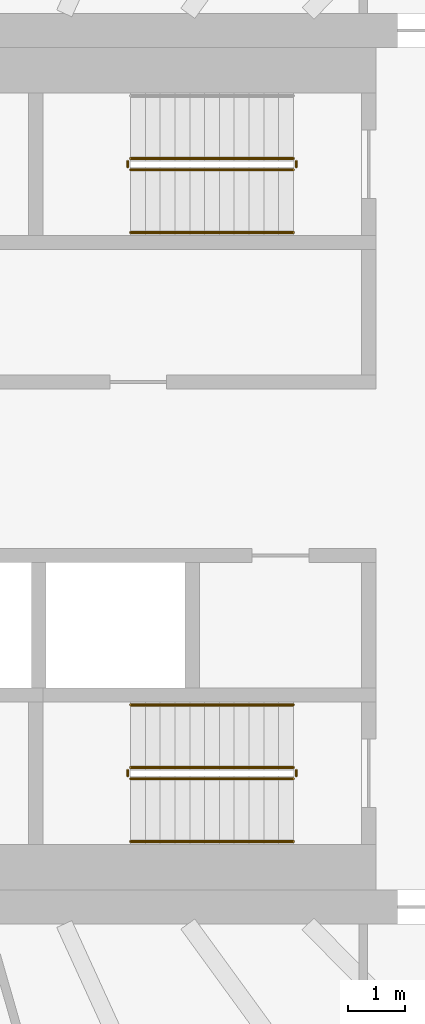
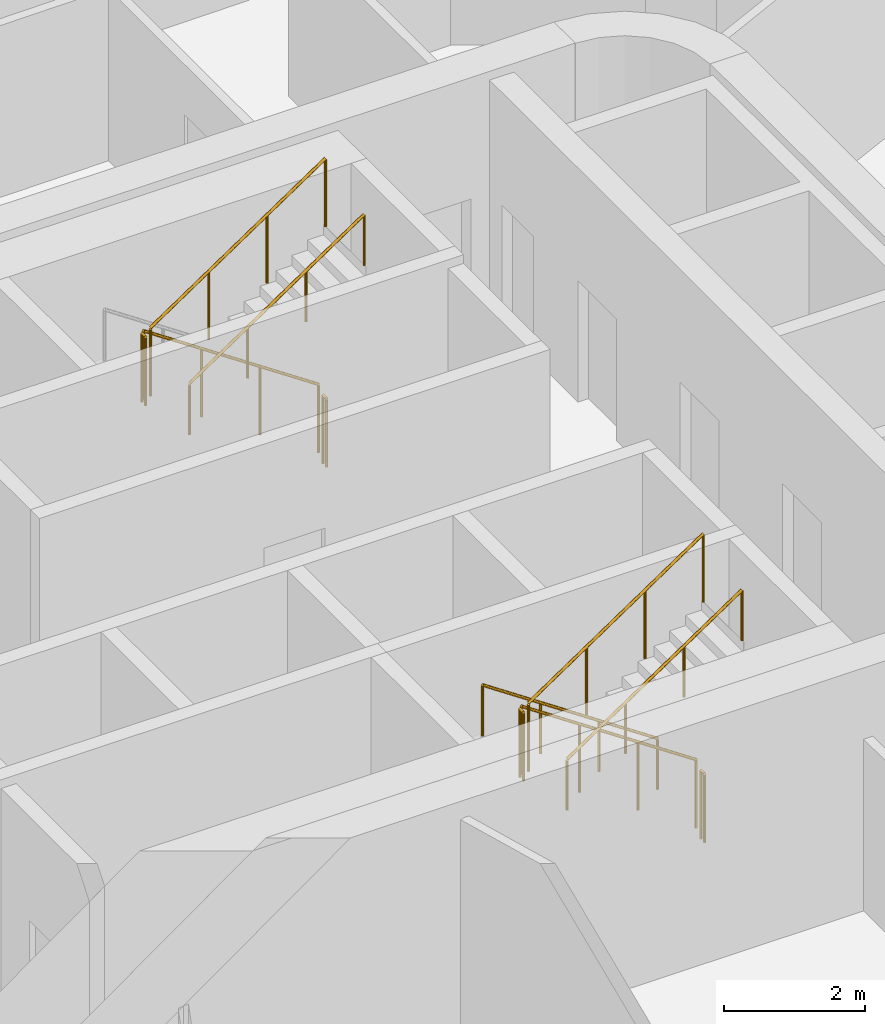
# One storey, part 24 of 26: 11 railings.
"""IFC4 building model written with IfcOpenShell, lengths in metres."""

from ifc_helpers import new_model, si_unit, direction, frame, origin, origin_2d, place, context, subcontext, project, spatial, circle, extrude, material, type_object, element, save


model = new_model("IFC4")

# Units and contexts
model_context = context("Model", 3, precision=1e-05, world=origin(), true_north=direction((0.0, 1.0)))
body_context = subcontext(model_context, "Body", "Model", "MODEL_VIEW")
ifc_project = project(units=[si_unit("LENGTHUNIT", "METRE"), si_unit("AREAUNIT", "SQUARE_METRE"), si_unit("VOLUMEUNIT", "CUBIC_METRE"), si_unit("PLANEANGLEUNIT", "RADIAN"), si_unit("MASSUNIT", "GRAM", prefix="KILO")], contexts=[model_context])

# Site, building, storey
site_placement = place(None, origin())
site = spatial("IfcSite", under=ifc_project, at=site_placement, CompositionType="ELEMENT")
building_placement = place(site_placement, origin())
building = spatial("IfcBuilding", under=site, at=building_placement, Name="Sahrelin Media Tower", CompositionType="ELEMENT")
storey_placement = place(building_placement, frame((0.0, 0.0, 84.0)))
storey = spatial("IfcBuildingStorey", under=building, at=storey_placement, Name="L15", CompositionType="ELEMENT", Elevation=84.0)

# Railings
ifc_material = material(Name="Steel S355", Category="steel")
railing_type_1 = type_object("IfcRailingType", Name="Stair guard 1200", PredefinedType="GUARDRAIL", material=ifc_material)
railing_1_placement = place(storey_placement, frame((7.675048828125, 5.449951171875, 0.175048828125)))
element("IfcRailing", 1, at=railing_1_placement, inside=storey, type_object=railing_type_1, Name="L15 ST3 stair guard 1", PredefinedType="GUARDRAIL", context=body_context, shape_type="SweptSolid", body=[
    extrude(circle(Radius=0.02392578125, at=origin_2d()), frame((0.0, 0.0, 1.17578125), z_axis=(-0.829590901723, 0.0, 0.558371682465), x_axis=(0.0, -1.0, 0.0)), (0.0, 0.0, 1.0), 3.447509765625),
    extrude(circle(Radius=0.02099609375, at=origin_2d()), origin(), (0.0, 0.0, 1.0), 1.15185546875),
    extrude(circle(Radius=0.02099609375, at=origin_2d()), frame((-0.953369140625, 0.0, 0.6416015625)), (0.0, 0.0, 1.0), 1.15185546875),
    extrude(circle(Radius=0.02099609375, at=origin_2d()), frame((-1.90673828125, 0.0, 1.283447265625)), (0.0, 0.0, 1.0), 1.15185546875),
    extrude(circle(Radius=0.02099609375, at=origin_2d()), frame((-2.860107421875, 0.0, 1.925048828125)), (0.0, 0.0, 1.0), 1.15185546875),
])
railing_2_placement = place(storey_placement, frame((4.764892578125, 5.39990234375, 2.10009765625)))
element("IfcRailing", 2, at=railing_2_placement, inside=storey, type_object=railing_type_1, Name="L15 ST3 stair guard 2", PredefinedType="GUARDRAIL", context=body_context, shape_type="SweptSolid", body=[
    extrude(circle(Radius=0.02392578125, at=origin_2d()), frame((0.0, 0.0, 1.17578125), z_axis=(0.0, -1.0, 0.0), x_axis=(1.0, 0.0, 0.0)), (0.0, 0.0, 1.0), 0.099853515625),
    extrude(circle(Radius=0.02099609375, at=origin_2d()), origin(), (0.0, 0.0, 1.0), 1.15185546875),
    extrude(circle(Radius=0.02099609375, at=origin_2d()), frame((0.0, -0.099853515625, 0.0)), (0.0, 0.0, 1.0), 1.15185546875),
])
railing_3_placement = place(storey_placement, frame((4.81494140625, 5.25, 2.27490234375)))
element("IfcRailing", 3, at=railing_3_placement, inside=storey, type_object=railing_type_1, Name="L15 ST3 stair guard 3", PredefinedType="GUARDRAIL", context=body_context, shape_type="SweptSolid", body=[
    extrude(circle(Radius=0.02392578125, at=origin_2d()), frame((0.0, 0.0, 1.17578125), z_axis=(0.829590901723, 0.0, 0.558371682465), x_axis=(0.0, 1.0, 0.0)), (0.0, 0.0, 1.0), 3.447509765625),
    extrude(circle(Radius=0.02099609375, at=origin_2d()), origin(), (0.0, 0.0, 1.0), 1.15185546875),
    extrude(circle(Radius=0.02099609375, at=origin_2d()), frame((0.953369140625, 0.0, 0.6416015625)), (0.0, 0.0, 1.0), 1.15185546875),
    extrude(circle(Radius=0.02099609375, at=origin_2d()), frame((1.90673828125, 0.0, 1.283447265625)), (0.0, 0.0, 1.0), 1.15185546875),
    extrude(circle(Radius=0.02099609375, at=origin_2d()), frame((2.860107421875, 0.0, 1.925048828125)), (0.0, 0.0, 1.0), 1.15185546875),
])
railing_4_placement = place(storey_placement, frame((7.72509765625, 5.39990234375, 0.0)))
element("IfcRailing", 4, at=railing_4_placement, inside=storey, type_object=railing_type_1, Name="L15 ST3 stair guard 4", PredefinedType="GUARDRAIL", context=body_context, shape_type="SweptSolid", body=[
    extrude(circle(Radius=0.02392578125, at=origin_2d()), frame((0.0, 0.0, 1.17578125), z_axis=(0.0, -1.0, 0.0), x_axis=(1.0, 0.0, 0.0)), (0.0, 0.0, 1.0), 0.099853515625),
    extrude(circle(Radius=0.02099609375, at=origin_2d()), origin(), (0.0, 0.0, 1.0), 1.15185546875),
    extrude(circle(Radius=0.02099609375, at=origin_2d()), frame((0.0, -0.099853515625, 0.0)), (0.0, 0.0, 1.0), 1.15185546875),
])
railing_5_placement = place(storey_placement, frame((7.675048828125, -5.25, 0.175048828125)))
element("IfcRailing", 5, at=railing_5_placement, inside=storey, type_object=railing_type_1, Name="L15 ST2 stair guard 1", PredefinedType="GUARDRAIL", context=body_context, shape_type="SweptSolid", body=[
    extrude(circle(Radius=0.02392578125, at=origin_2d()), frame((0.0, 0.0, 1.17578125), z_axis=(-0.829590901723, 0.0, 0.558371682465), x_axis=(0.0, -1.0, 0.0)), (0.0, 0.0, 1.0), 3.447509765625),
    extrude(circle(Radius=0.02099609375, at=origin_2d()), origin(), (0.0, 0.0, 1.0), 1.15185546875),
    extrude(circle(Radius=0.02099609375, at=origin_2d()), frame((-0.953369140625, 0.0, 0.6416015625)), (0.0, 0.0, 1.0), 1.15185546875),
    extrude(circle(Radius=0.02099609375, at=origin_2d()), frame((-1.90673828125, 0.0, 1.283447265625)), (0.0, 0.0, 1.0), 1.15185546875),
    extrude(circle(Radius=0.02099609375, at=origin_2d()), frame((-2.860107421875, 0.0, 1.925048828125)), (0.0, 0.0, 1.0), 1.15185546875),
])
railing_6_placement = place(storey_placement, frame((4.764892578125, -5.300048828125, 2.10009765625)))
element("IfcRailing", 6, at=railing_6_placement, inside=storey, type_object=railing_type_1, Name="L15 ST2 stair guard 2", PredefinedType="GUARDRAIL", context=body_context, shape_type="SweptSolid", body=[
    extrude(circle(Radius=0.02392578125, at=origin_2d()), frame((0.0, 0.0, 1.17578125), z_axis=(0.0, -1.0, 0.0), x_axis=(1.0, 0.0, 0.0)), (0.0, 0.0, 1.0), 0.099853515625),
    extrude(circle(Radius=0.02099609375, at=origin_2d()), origin(), (0.0, 0.0, 1.0), 1.15185546875),
    extrude(circle(Radius=0.02099609375, at=origin_2d()), frame((0.0, -0.099853515625, 0.0)), (0.0, 0.0, 1.0), 1.15185546875),
])
railing_7_placement = place(storey_placement, frame((4.81494140625, -5.449951171875, 2.27490234375)))
element("IfcRailing", 7, at=railing_7_placement, inside=storey, type_object=railing_type_1, Name="L15 ST2 stair guard 3", PredefinedType="GUARDRAIL", context=body_context, shape_type="SweptSolid", body=[
    extrude(circle(Radius=0.02392578125, at=origin_2d()), frame((0.0, 0.0, 1.17578125), z_axis=(0.829590901723, 0.0, 0.558371682465), x_axis=(0.0, 1.0, 0.0)), (0.0, 0.0, 1.0), 3.447509765625),
    extrude(circle(Radius=0.02099609375, at=origin_2d()), origin(), (0.0, 0.0, 1.0), 1.15185546875),
    extrude(circle(Radius=0.02099609375, at=origin_2d()), frame((0.953369140625, 0.0, 0.6416015625)), (0.0, 0.0, 1.0), 1.15185546875),
    extrude(circle(Radius=0.02099609375, at=origin_2d()), frame((1.90673828125, 0.0, 1.283447265625)), (0.0, 0.0, 1.0), 1.15185546875),
    extrude(circle(Radius=0.02099609375, at=origin_2d()), frame((2.860107421875, 0.0, 1.925048828125)), (0.0, 0.0, 1.0), 1.15185546875),
])
railing_8_placement = place(storey_placement, frame((7.72509765625, -5.300048828125, 0.0)))
element("IfcRailing", 8, at=railing_8_placement, inside=storey, type_object=railing_type_1, Name="L15 ST2 stair guard 4", PredefinedType="GUARDRAIL", context=body_context, shape_type="SweptSolid", body=[
    extrude(circle(Radius=0.02392578125, at=origin_2d()), frame((0.0, 0.0, 1.17578125), z_axis=(0.0, -1.0, 0.0), x_axis=(1.0, 0.0, 0.0)), (0.0, 0.0, 1.0), 0.099853515625),
    extrude(circle(Radius=0.02099609375, at=origin_2d()), origin(), (0.0, 0.0, 1.0), 1.15185546875),
    extrude(circle(Radius=0.02099609375, at=origin_2d()), frame((0.0, -0.099853515625, 0.0)), (0.0, 0.0, 1.0), 1.15185546875),
])
railing_type_2 = type_object("IfcRailingType", Name="Stair handrail 900", PredefinedType="HANDRAIL", material=ifc_material)
railing_9_placement = place(storey_placement, frame((4.81494140625, 4.14990234375, 2.27490234375)))
element("IfcRailing", 9, at=railing_9_placement, inside=storey, type_object=railing_type_2, Name="L15 ST3 stair handrail 2", PredefinedType="HANDRAIL", context=body_context, shape_type="SweptSolid", body=[
    extrude(circle(Radius=0.02392578125, at=origin_2d()), frame((0.0, 0.0, 0.8759765625), z_axis=(0.829590901723, 0.0, 0.558371682465), x_axis=(0.0, 1.0, 0.0)), (0.0, 0.0, 1.0), 3.447509765625),
    extrude(circle(Radius=0.02099609375, at=origin_2d()), origin(), (0.0, 0.0, 1.0), 0.851806640625),
    extrude(circle(Radius=0.02099609375, at=origin_2d()), frame((0.953369140625, 0.0, 0.6416015625)), (0.0, 0.0, 1.0), 0.851806640625),
    extrude(circle(Radius=0.02099609375, at=origin_2d()), frame((1.90673828125, 0.0, 1.283447265625)), (0.0, 0.0, 1.0), 0.851806640625),
    extrude(circle(Radius=0.02099609375, at=origin_2d()), frame((2.860107421875, 0.0, 1.925048828125)), (0.0, 0.0, 1.0), 0.851806640625),
])
railing_10_placement = place(storey_placement, frame((7.675048828125, -4.14990234375, 0.175048828125)))
element("IfcRailing", 10, at=railing_10_placement, inside=storey, type_object=railing_type_2, Name="L15 ST2 stair handrail 1", PredefinedType="HANDRAIL", context=body_context, shape_type="SweptSolid", body=[
    extrude(circle(Radius=0.02392578125, at=origin_2d()), frame((0.0, 0.0, 0.8759765625), z_axis=(-0.829590901723, 0.0, 0.558371682465), x_axis=(0.0, -1.0, 0.0)), (0.0, 0.0, 1.0), 3.447509765625),
    extrude(circle(Radius=0.02099609375, at=origin_2d()), origin(), (0.0, 0.0, 1.0), 0.851806640625),
    extrude(circle(Radius=0.02099609375, at=origin_2d()), frame((-0.953369140625, 0.0, 0.6416015625)), (0.0, 0.0, 1.0), 0.851806640625),
    extrude(circle(Radius=0.02099609375, at=origin_2d()), frame((-1.90673828125, 0.0, 1.283447265625)), (0.0, 0.0, 1.0), 0.851806640625),
    extrude(circle(Radius=0.02099609375, at=origin_2d()), frame((-2.860107421875, 0.0, 1.925048828125)), (0.0, 0.0, 1.0), 0.851806640625),
])
railing_11_placement = place(storey_placement, frame((4.81494140625, -6.550048828125, 2.27490234375)))
element("IfcRailing", 11, at=railing_11_placement, inside=storey, type_object=railing_type_2, Name="L15 ST2 stair handrail 2", PredefinedType="HANDRAIL", context=body_context, shape_type="SweptSolid", body=[
    extrude(circle(Radius=0.02392578125, at=origin_2d()), frame((0.0, 0.0, 0.8759765625), z_axis=(0.829590901723, 0.0, 0.558371682465), x_axis=(0.0, 1.0, 0.0)), (0.0, 0.0, 1.0), 3.447509765625),
    extrude(circle(Radius=0.02099609375, at=origin_2d()), origin(), (0.0, 0.0, 1.0), 0.851806640625),
    extrude(circle(Radius=0.02099609375, at=origin_2d()), frame((0.953369140625, 0.0, 0.6416015625)), (0.0, 0.0, 1.0), 0.851806640625),
    extrude(circle(Radius=0.02099609375, at=origin_2d()), frame((1.90673828125, 0.0, 1.283447265625)), (0.0, 0.0, 1.0), 0.851806640625),
    extrude(circle(Radius=0.02099609375, at=origin_2d()), frame((2.860107421875, 0.0, 1.925048828125)), (0.0, 0.0, 1.0), 0.851806640625),
])

save(model, "model.ifc")
